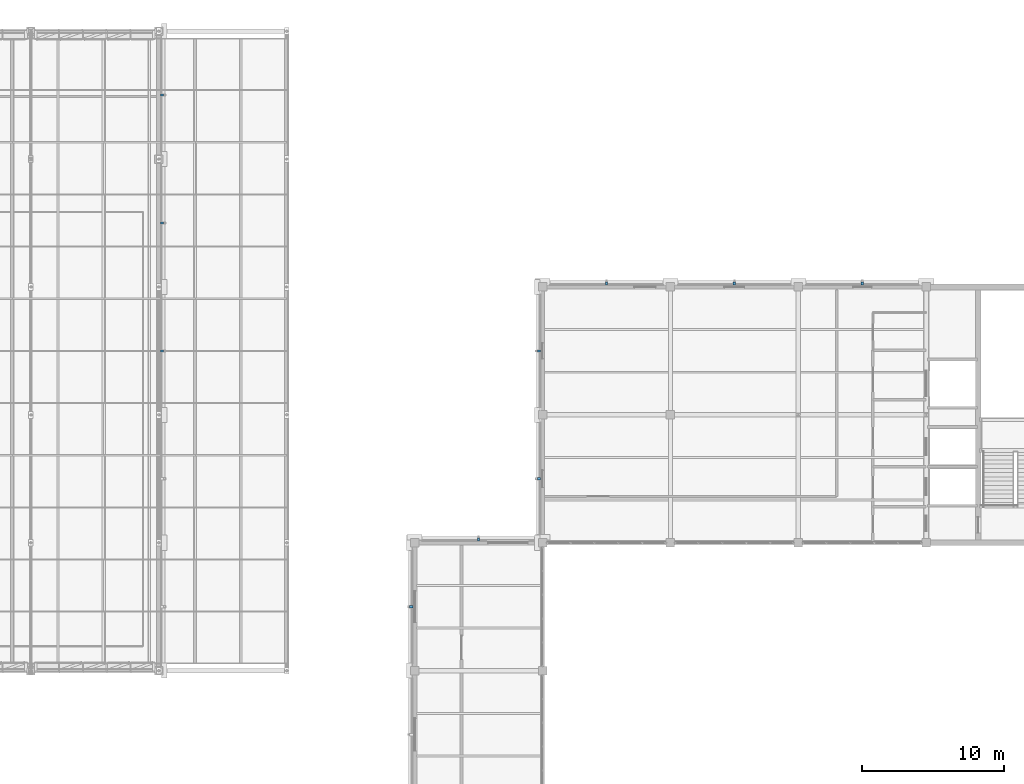
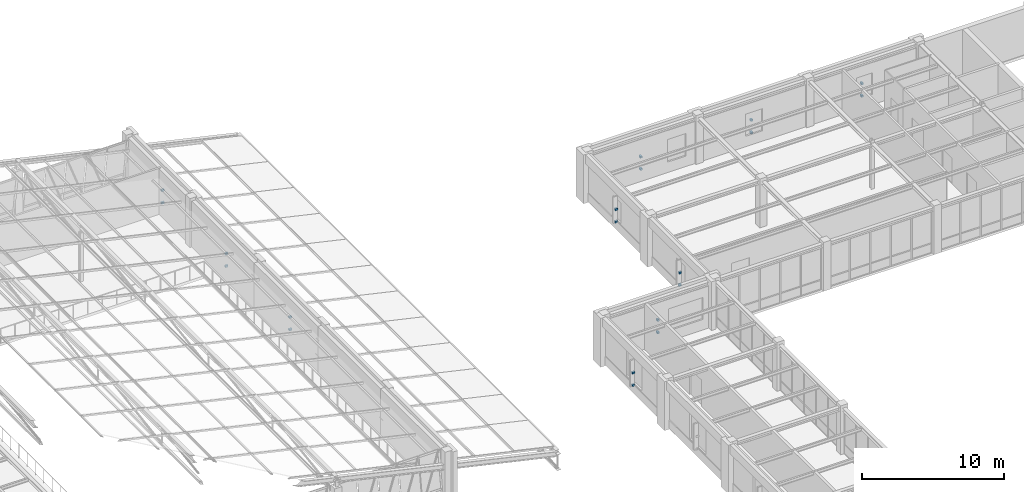
# One storey, part 121 of 130: 20 discrete accessories.
"""IFC4 building model written with IfcOpenShell, lengths in metres."""

from ifc_helpers import new_model, si_unit, direction, frame, origin, origin_2d, place, context, subcontext, project, spatial, rectangle, extrude, material, type_object, element, save


model = new_model("IFC4")

# Units and contexts
model_context = context("Model", 3, precision=1e-05, world=origin(), true_north=direction((0.0, 1.0)))
body_context = subcontext(model_context, "Body", "Model", "MODEL_VIEW")
ifc_project = project(units=[si_unit("LENGTHUNIT", "METRE"), si_unit("AREAUNIT", "SQUARE_METRE"), si_unit("VOLUMEUNIT", "CUBIC_METRE"), si_unit("PLANEANGLEUNIT", "RADIAN"), si_unit("MASSUNIT", "GRAM", prefix="KILO")], contexts=[model_context])

# Site, building, storey
site_placement = place(None, origin())
site = spatial("IfcSite", under=ifc_project, at=site_placement, CompositionType="ELEMENT")
building_placement = place(site_placement, origin())
building = spatial("IfcBuilding", under=site, at=building_placement, Name="Lykobir Media Centre", CompositionType="ELEMENT")
storey_placement = place(building_placement, frame((0.0, 0.0, 19.199951171875)))
storey = spatial("IfcBuildingStorey", under=building, at=storey_placement, Name="L04", CompositionType="ELEMENT", Elevation=19.199951171875)

# Discrete accessories
ifc_material = material(Name="Steel S355", Category="steel")
discrete_accessory_type = type_object("IfcDiscreteAccessoryType", Name="ACC-BRK", PredefinedType="BRACKET", material=ifc_material)
for number, where, z_axis, x_axis, name in (
    (1, (72.235107421875, 85.5, 0.7001953125), (0.0, 0.0, 1.0), (0.0, 1.0, 0.0), "Cumba corbel bracket 115"),
    (2, (72.235107421875, 85.5, 1.77001953125), (0.0, 0.0, 1.0), (0.0, 1.0, 0.0), "Shading fin bracket 116"),
    (3, (72.235107421875, 94.5, 0.7001953125), (0.0, 0.0, 1.0), (0.0, 1.0, 0.0), "Cumba corbel bracket 117"),
    (4, (72.235107421875, 94.5, 1.77001953125), (0.0, 0.0, 1.0), (0.0, 1.0, 0.0), "Shading fin bracket 118"),
    (5, (72.235107421875, 103.5, 0.7001953125), (0.0, 0.0, 1.0), (0.0, 1.0, 0.0), "Cumba corbel bracket 119"),
    (6, (72.235107421875, 103.5, 1.77001953125), (0.0, 0.0, 1.0), (0.0, 1.0, 0.0), "Shading fin bracket 120"),
    (7, (94.5, 72.235107421875, 0.7001953125), (0.0, 0.0, 1.0), (-1.0, 0.0, 0.0), "Cumba corbel bracket 127"),
    (8, (94.5, 72.235107421875, 1.77001953125), (0.0, 0.0, 1.0), (-1.0, 0.0, 0.0), "Shading fin bracket 128"),
    (9, (89.764892578125, 67.5, 0.7001953125), (0.0, 0.0, 1.0), (0.0, -1.0, 0.0), "Cumba corbel bracket 139"),
    (10, (89.764892578125, 67.5, 1.77001953125), (0.0, 0.0, 1.0), (0.0, -1.0, 0.0), "Shading fin bracket 140"),
    (11, (103.5, 90.235107421875, 0.7001953125), (0.0, 0.0, 1.0), (-1.0, 0.0, 0.0), "Cumba corbel bracket 151"),
    (12, (103.5, 90.235107421875, 1.77001953125), (0.0, 0.0, 1.0), (-1.0, 0.0, 0.0), "Shading fin bracket 152"),
    (13, (112.5, 90.235107421875, 0.7001953125), (0.0, 0.0, 1.0), (-1.0, 0.0, 0.0), "Cumba corbel bracket 153"),
    (14, (112.5, 90.235107421875, 1.77001953125), (0.0, 0.0, 1.0), (-1.0, 0.0, 0.0), "Shading fin bracket 154"),
    (15, (121.5, 90.235107421875, 0.7001953125), (0.0, 0.0, 1.0), (-1.0, 0.0, 0.0), "Cumba corbel bracket 155"),
    (16, (121.5, 90.235107421875, 1.77001953125), (0.0, 0.0, 1.0), (-1.0, 0.0, 0.0), "Shading fin bracket 156"),
    (17, (98.764892578125, 76.5, 0.7001953125), (0.0, 0.0, 1.0), (0.0, -1.0, 0.0), "Cumba corbel bracket 157"),
    (18, (98.764892578125, 76.5, 1.77001953125), (0.0, 0.0, 1.0), (0.0, -1.0, 0.0), "Shading fin bracket 158"),
    (19, (98.764892578125, 85.5, 0.7001953125), (0.0, 0.0, 1.0), (0.0, -1.0, 0.0), "Cumba corbel bracket 159"),
    (20, (98.764892578125, 85.5, 1.77001953125), (0.0, 0.0, 1.0), (0.0, -1.0, 0.0), "Shading fin bracket 160"),
):
    element("IfcDiscreteAccessory", number, at=place(storey_placement, frame(where, z_axis=z_axis, x_axis=x_axis)), inside=storey, type_object=discrete_accessory_type, Name=name, PredefinedType="BRACKET", context=body_context, shape_type="SweptSolid", body=[
        extrude(rectangle(XDim=0.159912109375, YDim=0.219970703125, at=origin_2d()), origin(), (0.0, 0.0, 1.0), 0.159912109375),
    ])

save(model, "model.ifc")
